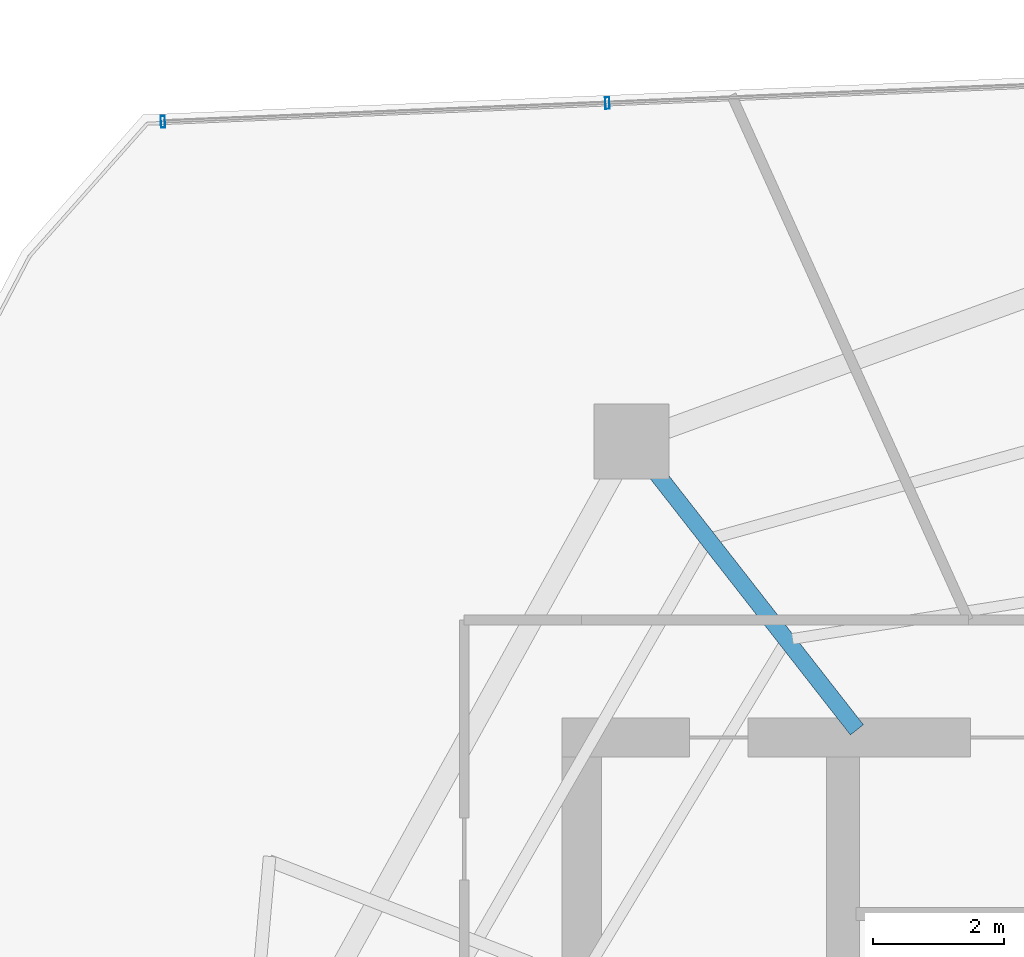
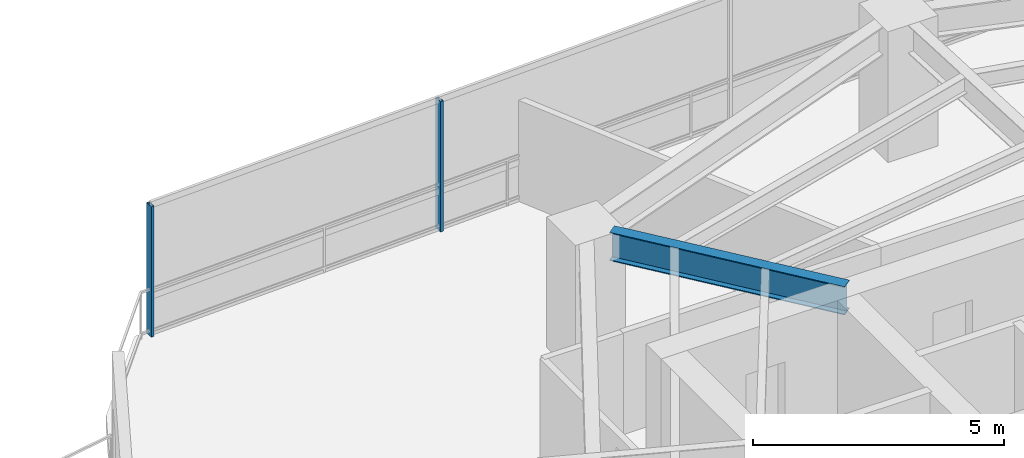
# One storey, part 14 of 25: 2 members, 1 beam, 1 element without a shape of its own.
"""IFC4 building model written with IfcOpenShell, lengths in metres."""

from ifc_helpers import new_model, si_unit, direction, frame, origin, origin_2d, place, context, subcontext, project, spatial, hollow_rectangle, i_section, extrude, material, layer, layer_set, material_profile, profile_set, type_object, element, aggregate, save


model = new_model("IFC4")

# Units and contexts
model_context = context("Model", 3, precision=1e-05, world=origin(), true_north=direction((0.0, 1.0)))
body_context = subcontext(model_context, "Body", "Model", "MODEL_VIEW")
ifc_project = project(units=[si_unit("LENGTHUNIT", "METRE"), si_unit("AREAUNIT", "SQUARE_METRE"), si_unit("VOLUMEUNIT", "CUBIC_METRE"), si_unit("PLANEANGLEUNIT", "RADIAN"), si_unit("MASSUNIT", "GRAM", prefix="KILO")], contexts=[model_context])

# Site, building, storey
site_placement = place(None, origin())
site = spatial("IfcSite", under=ifc_project, at=site_placement, CompositionType="ELEMENT")
building_placement = place(site_placement, origin())
building = spatial("IfcBuilding", under=site, at=building_placement, Name="Qarnah Convention Tower", CompositionType="ELEMENT")
storey_placement = place(building_placement, frame((0.0, 0.0, 76.35009765625)))
storey = spatial("IfcBuildingStorey", under=building, at=storey_placement, Name="L19", CompositionType="ELEMENT", Elevation=76.35009765625)

# Beam
ifc_material_1 = material(Name="Structural steel S355JR", Category="steel")
ifc_material_profile_1 = material_profile(ifc_material_1, i_section(OverallWidth=0.25390625, OverallDepth=0.68798828125, WebThickness=0.012939453125, FlangeThickness=0.02099609375, at=origin_2d()), Name="W690X152")
ifc_profile_set_1 = profile_set([ifc_material_profile_1], Name="Structural steel S355JR")
beam_type = type_object("IfcBeamType", Name="BM-RAD-W690", PredefinedType="BEAM", material=ifc_profile_set_1)
beam_placement = place(storey_placement, frame((31.013916015625, 34.318115234375, 2.825927734375), z_axis=(-0.61565061353, 0.788019239651, 0.0), x_axis=(-0.788019239651, -0.61565061353, 0.0)))
element("IfcBeam", 1, at=beam_placement, inside=storey, type_object=beam_type, Name="L19 beam BM-L19-RAD-04", PredefinedType="BEAM", context=body_context, shape_type="SweptSolid", body=[
    extrude(i_section(OverallWidth=0.25390625, OverallDepth=0.68798828125, WebThickness=0.012939453125, FlangeThickness=0.02099609375, at=origin_2d()), origin(), (0.0, 0.0, 1.0), 5.046630859375),
])

# Curtain wall, members
ifc_material_2 = material(Name="Tempered Low-E dark glass", Category="glass")
ifc_layer = layer(ifc_material_2, 0.169921875)
ifc_layer_set = layer_set([ifc_layer], Name="Tempered Low-E dark glass")
curtain_wall_type = type_object("IfcCurtainWallType", Name="CWS-02", PredefinedType="NOTDEFINED", material=ifc_layer_set)
curtain_wall_placement = place(storey_placement, origin())
curtain_wall = element("IfcCurtainWall", 2, at=curtain_wall_placement, inside=storey, type_object=curtain_wall_type, Name="L19 unitised curtain wall CW-L19-F4", PredefinedType="NOTDEFINED")
ifc_material_3 = material(Name="Black anodised aluminium", Category="aluminium")
ifc_material_profile_2 = material_profile(ifc_material_3, hollow_rectangle(XDim=0.06494140625, YDim=0.179931640625, WallThickness=0.00390625, at=origin_2d()), Name="MUL-65X180")
ifc_profile_set_2 = profile_set([ifc_material_profile_2], Name="Black anodised aluminium")
member_type = type_object("IfcMemberType", Name="MUL-T2", PredefinedType="MULLION", material=ifc_profile_set_2)
member_1_placement = place(storey_placement, frame((20.386962890625, 43.6298828125, 0.0), z_axis=(0.0, 0.0, 1.0), x_axis=(0.999123070538, 0.041869916632, 0.0)))
member_1 = element("IfcMember", 3, at=member_1_placement, type_object=member_type, Name="CW-L19-F4 mullion 1", PredefinedType="MULLION", context=body_context, shape_type="SweptSolid", body=[
    extrude(hollow_rectangle(XDim=0.06494140625, YDim=0.179931640625, WallThickness=0.00390625, at=origin_2d()), origin(), (0.0, 0.0, 1.0), 3.169921875),
])
member_2_placement = place(storey_placement, frame((27.192626953125, 43.915283203125, 0.0), z_axis=(0.0, 0.0, 1.0), x_axis=(0.999123070538, 0.041869916632, 0.0)))
member_2 = element("IfcMember", 4, at=member_2_placement, type_object=member_type, Name="CW-L19-F4 mullion 2", PredefinedType="MULLION", context=body_context, shape_type="SweptSolid", body=[
    extrude(hollow_rectangle(XDim=0.06494140625, YDim=0.179931640625, WallThickness=0.00390625, at=origin_2d()), origin(), (0.0, 0.0, 1.0), 3.169921875),
])
aggregate(curtain_wall, [member_1, member_2])

save(model, "model.ifc")
